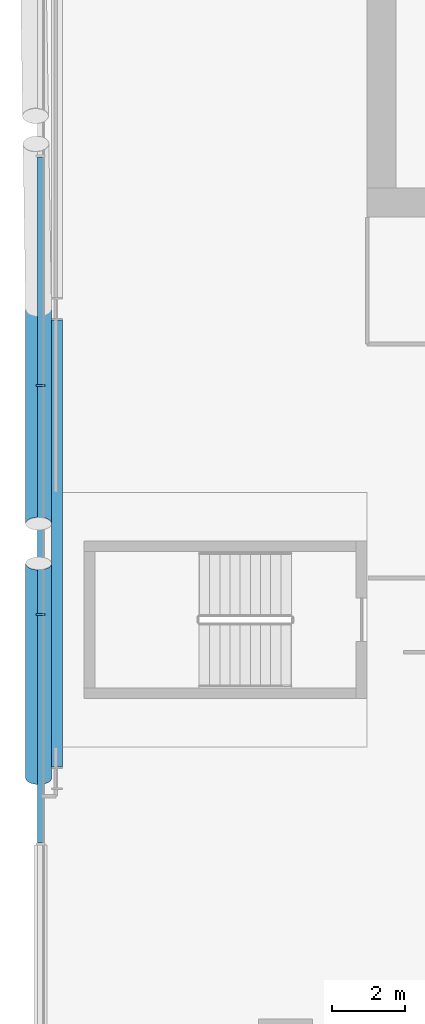
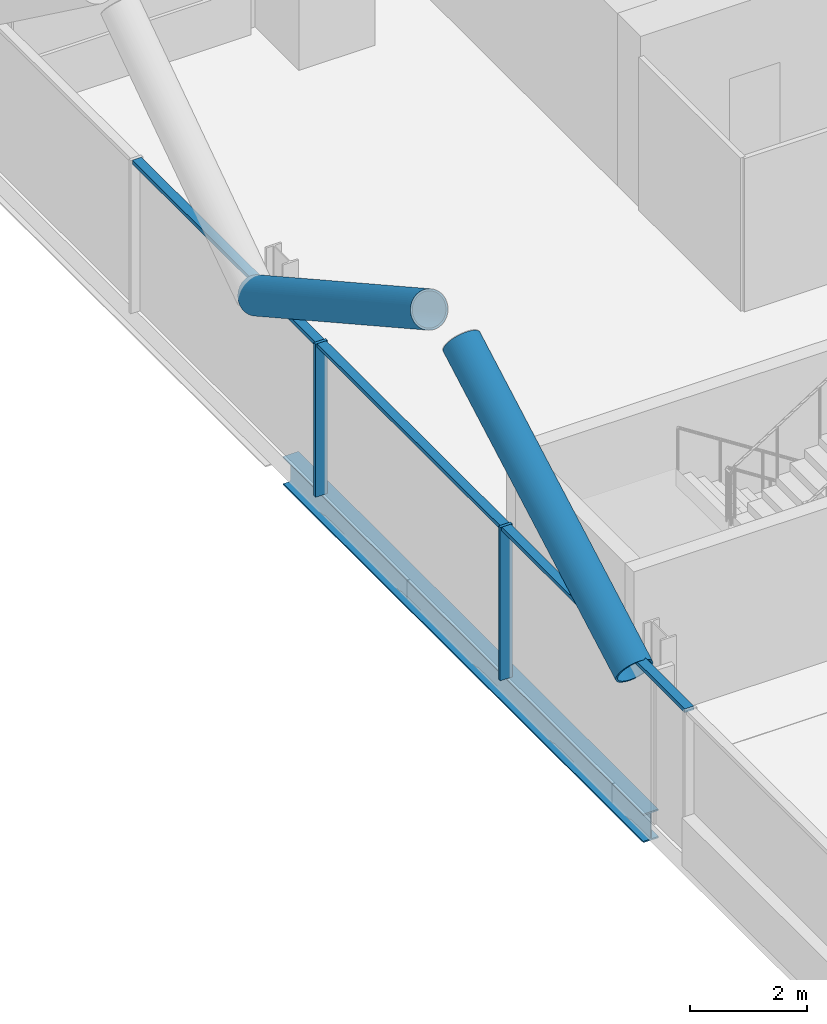
# One storey, part 7 of 29: 7 members, 1 beam, 1 element without a shape of its own.
"""IFC4 building model written with IfcOpenShell, lengths in metres."""

from ifc_helpers import new_model, si_unit, direction, frame, origin, origin_2d, place, context, subcontext, project, spatial, rectangle, hollow_circle, i_section, extrude, material, material_profile, profile_set, type_object, element, aggregate, save


model = new_model("IFC4")

# Units and contexts
model_context = context("Model", 3, precision=1e-05, world=origin(), true_north=direction((0.0, 1.0)))
body_context = subcontext(model_context, "Body", "Model", "MODEL_VIEW")
ifc_project = project(units=[si_unit("LENGTHUNIT", "METRE"), si_unit("AREAUNIT", "SQUARE_METRE"), si_unit("VOLUMEUNIT", "CUBIC_METRE"), si_unit("PLANEANGLEUNIT", "RADIAN"), si_unit("MASSUNIT", "GRAM", prefix="KILO")], contexts=[model_context])

# Site, building, storey
site_placement = place(None, origin())
site = spatial("IfcSite", under=ifc_project, at=site_placement, CompositionType="ELEMENT")
building_placement = place(site_placement, origin())
building = spatial("IfcBuilding", under=site, at=building_placement, Name="Wharfspan Tower", CompositionType="ELEMENT")
storey_placement = place(building_placement, frame((0.0, 0.0, 162.699951)))
storey = spatial("IfcBuildingStorey", under=building, at=storey_placement, Name="L39", CompositionType="ELEMENT", Elevation=162.699951)

# Beam
ifc_material_1 = material(Name="Steel S355J2", Category="steel")
ifc_material_profile_1 = material_profile(ifc_material_1, i_section(OverallWidth=0.300049, OverallDepth=0.600098, WebThickness=0.015381, FlangeThickness=0.030029, FilletRadius=0.0271, at=origin_2d()))
ifc_profile_set_1 = profile_set([ifc_material_profile_1], Name="Steel S355J2")
beam_type = type_object("IfcBeamType", Name="Edge beam HEB 600", PredefinedType="SPANDREL", material=ifc_profile_set_1)
beam_placement = place(storey_placement, frame((7.449951, 31.160645, -0.699951), z_axis=(0.0, -1.0, 0.0), x_axis=(1.0, 0.0, 0.0)))
element("IfcBeam", 1, at=beam_placement, inside=storey, type_object=beam_type, Name="Edge beam W L39 PW.1 to PW.2", PredefinedType="SPANDREL", context=body_context, shape_type="SweptSolid", body=[
    extrude(i_section(OverallWidth=0.300049, OverallDepth=0.600098, WebThickness=0.015381, FlangeThickness=0.030029, FilletRadius=0.0271, at=origin_2d()), origin(), (0.0, 0.0, 1.0), 12.321289),
])

# Curtain wall, members
ifc_material_2 = material(Name="Aluminium 6063-T6", Category="aluminium")
curtain_wall_type = type_object("IfcCurtainWallType", Name="CURTAIN WALL PROW AND END", PredefinedType="NOTDEFINED", material=ifc_material_2)
curtain_wall_placement = place(storey_placement, origin())
curtain_wall = element("IfcCurtainWall", 2, at=curtain_wall_placement, inside=storey, type_object=curtain_wall_type, Name="Curtain wall W", PredefinedType="NOTDEFINED")
ifc_material_profile_2 = material_profile(ifc_material_2, rectangle(XDim=0.23999, YDim=0.060059, at=origin_2d()))
ifc_profile_set_2 = profile_set([ifc_material_profile_2], Name="Aluminium 6063-T6")
member_type_1 = type_object("IfcMemberType", Name="MULLION PROW AND END 60x240", PredefinedType="MULLION", material=ifc_profile_set_2)
member_1_placement = place(storey_placement, frame((7.0, 29.360107, 0.0), z_axis=(0.0, 0.0, 1.0), x_axis=(1.0, 0.0, 0.0)))
member_1 = element("IfcMember", 3, at=member_1_placement, type_object=member_type_1, Name="Curtain wall W mullion 3", PredefinedType="MULLION", context=body_context, shape_type="SweptSolid", body=[
    extrude(rectangle(XDim=0.23999, YDim=0.060059, at=origin_2d()), origin(), (0.0, 0.0, 1.0), 3.199951),
])
member_2_placement = place(storey_placement, frame((7.0, 23.040039, 0.0), z_axis=(0.0, 0.0, 1.0), x_axis=(1.0, 0.0, 0.0)))
member_2 = element("IfcMember", 4, at=member_2_placement, type_object=member_type_1, Name="Curtain wall W mullion 4", PredefinedType="MULLION", context=body_context, shape_type="SweptSolid", body=[
    extrude(rectangle(XDim=0.23999, YDim=0.060059, at=origin_2d()), origin(), (0.0, 0.0, 1.0), 3.199951),
])

# Members
ifc_material_3 = material(Name="Steel S460NH", Category="steel")
ifc_material_profile_3 = material_profile(ifc_material_3, hollow_circle(Radius=0.355469, WallThickness=0.035889, at=origin_2d()))
ifc_profile_set_3 = profile_set([ifc_material_profile_3], Name="Steel S460NH")
member_type_2 = type_object("IfcMemberType", Name="Mega brace CHS 711x36", PredefinedType="BRACE", material=ifc_profile_set_3)
for number, where, z_axis, x_axis, name in (
    (5, (6.945068, 31.466553, 2.900146), (0.0, -0.873733, 0.486406), (1.0, 0.0, 0.0), "Mega brace W3 L40 part 1"),
    (6, (6.945068, 18.533447, 2.900146), (0.0, 0.873733, 0.486406), (-1.0, 0.0, 0.0), "Mega brace W3 L40 part 3"),
):
    element("IfcMember", number, at=place(storey_placement, frame(where, z_axis=z_axis, x_axis=x_axis)), inside=storey, type_object=member_type_2, Name=name, PredefinedType="BRACE", context=body_context, shape_type="SweptSolid", body=[
        extrude(hollow_circle(Radius=0.355469, WallThickness=0.035889, at=origin_2d()), origin(), (0.0, 0.0, 1.0), 6.766602),
    ])

# Member
ifc_material_profile_4 = material_profile(ifc_material_2, rectangle(XDim=0.179932, YDim=0.080078, at=origin_2d()))
ifc_profile_set_4 = profile_set([ifc_material_profile_4], Name="Aluminium 6063-T6")
member_type_3 = type_object("IfcMemberType", Name="TRANSOM PROW AND END 80x180", PredefinedType="USERDEFINED", material=ifc_profile_set_4)
member_3_placement = place(storey_placement, frame((7.0, 35.649902, 3.160156), z_axis=(0.0, -1.0, 0.0), x_axis=(1.0, 0.0, 0.0)))
member_3 = element("IfcMember", 7, at=member_3_placement, type_object=member_type_3, Name="Curtain wall W transom 2", ObjectType="TRANSOM", PredefinedType="USERDEFINED", context=body_context, shape_type="SweptSolid", body=[
    extrude(rectangle(XDim=0.179932, YDim=0.080078, at=origin_2d()), origin(), (0.0, 0.0, 1.0), 6.26001),
])

member_4_placement = place(storey_placement, frame((7.0, 29.330078, 3.160156), z_axis=(0.0, -1.0, 0.0), x_axis=(1.0, 0.0, 0.0)))
member_4 = element("IfcMember", 8, at=member_4_placement, type_object=member_type_3, Name="Curtain wall W transom 3", ObjectType="TRANSOM", PredefinedType="USERDEFINED", context=body_context, shape_type="SweptSolid", body=[
    extrude(rectangle(XDim=0.179932, YDim=0.080078, at=origin_2d()), origin(), (0.0, 0.0, 1.0), 6.26001),
])

member_5_placement = place(storey_placement, frame((7.0, 23.01001, 3.160156), z_axis=(0.0, -1.0, 0.0), x_axis=(1.0, 0.0, 0.0)))
member_5 = element("IfcMember", 9, at=member_5_placement, type_object=member_type_3, Name="Curtain wall W transom 4", ObjectType="TRANSOM", PredefinedType="USERDEFINED", context=body_context, shape_type="SweptSolid", body=[
    extrude(rectangle(XDim=0.179932, YDim=0.080078, at=origin_2d()), origin(), (0.0, 0.0, 1.0), 6.26001),
])

aggregate(curtain_wall, [member_1, member_2, member_3, member_4, member_5])

save(model, "model.ifc")
